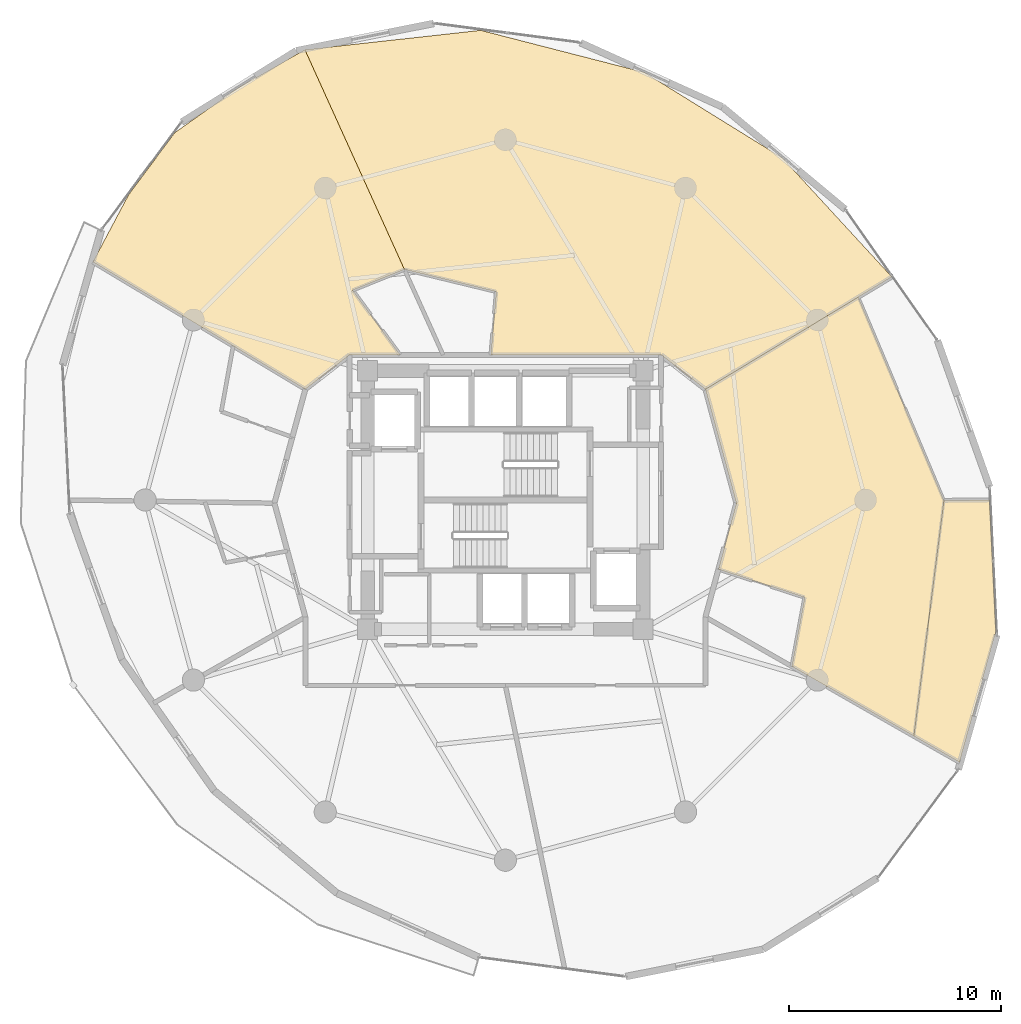
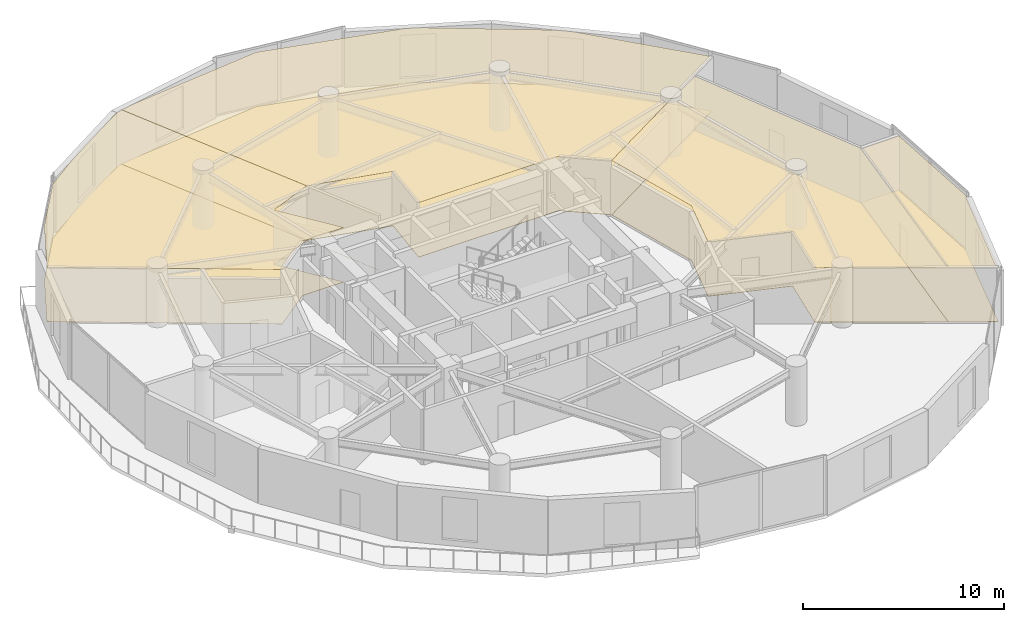
# One storey, part 22 of 22: 8 coverings.
"""IFC4 building model written with IfcOpenShell, lengths in metres."""

from ifc_helpers import new_model, si_unit, direction, frame, origin, place, context, subcontext, project, spatial, polyline, outline, extrude, material, layer, layer_set, type_object, element, save


model = new_model("IFC4")

# Units and contexts
model_context = context("Model", 3, precision=1e-05, world=origin(), true_north=direction((0.0, 1.0)))
body_context = subcontext(model_context, "Body", "Model", "MODEL_VIEW")
ifc_project = project(units=[si_unit("LENGTHUNIT", "METRE"), si_unit("AREAUNIT", "SQUARE_METRE"), si_unit("VOLUMEUNIT", "CUBIC_METRE"), si_unit("PLANEANGLEUNIT", "RADIAN"), si_unit("MASSUNIT", "GRAM", prefix="KILO")], contexts=[model_context])

# Site, building, storey
site_placement = place(None, origin())
site = spatial("IfcSite", under=ifc_project, at=site_placement, CompositionType="ELEMENT")
building_placement = place(site_placement, origin())
building = spatial("IfcBuilding", under=site, at=building_placement, Name="Solvirekh Grand Hotel", CompositionType="ELEMENT")
storey_placement = place(building_placement, frame((0.0, 0.0, 153.0)))
storey = spatial("IfcBuildingStorey", under=building, at=storey_placement, Name="L39", CompositionType="ELEMENT", Elevation=153.0)

# Coverings
ifc_material_1 = material(Name="Acoustic Mineral Ceiling Tile")
ifc_layer_1 = layer(ifc_material_1, 0.02490234375)
ifc_layer_set_1 = layer_set([ifc_layer_1], Name="Acoustic Mineral Ceiling Tile")
covering_type_1 = type_object("IfcCoveringType", Name="Cov_Ceiling_Acoustic", PredefinedType="CEILING", material=ifc_layer_set_1)
covering_1_placement = place(storey_placement, frame((0.0, 0.0, 3.300048828125)))
element("IfcCovering", 1, at=covering_1_placement, inside=storey, type_object=covering_type_1, Name="L39 Panorama Suite 4101 acoustic ceiling", PredefinedType="CEILING", context=body_context, shape_type="SweptSolid", body=[
    extrude(outline(polyline([(-4.764892578125, 10.881103515625), (-0.430908203125, 9.8310546875), (-0.68994140625, 6.85009765625), (7.35009765625, 6.85009765625), (9.43994140625, 5.22509765625), (18.238037109375, 10.530029296875), (13.072998046875, 16.14404296875), (6.556884765625, 20.178955078125), (-1.162109375, 22.1630859375), (-9.4599609375, 21.2470703125), (-4.764892578125, 10.881103515625)])), origin(), (0.0, 0.0, 1.0), 0.01806640625),
])
covering_2_placement = place(storey_placement, frame((0.0, 0.0, 3.300048828125)))
element("IfcCovering", 2, at=covering_2_placement, inside=storey, type_object=covering_type_1, Name="L39 Deluxe Guestroom 4102 acoustic ceiling", PredefinedType="CEILING", context=body_context, shape_type="SweptSolid", body=[
    extrude(outline(polyline([(-4.968994140625, 6.85009765625), (-7.20703125, 9.89990234375), (-4.76611328125, 10.881103515625), (-2.93994140625, 6.85009765625), (-9.4599609375, 21.2470703125), (-12.6259765625, 19.44189453125), (-15.60498046875, 17.3310546875), (-17.782958984375, 14.39990234375), (-19.4619140625, 11.236083984375), (-9.43994140625, 5.22509765625), (-7.35009765625, 6.85009765625), (-4.968994140625, 6.85009765625)])), origin(), (0.0, 0.0, 1.0), 0.01806640625),
])
covering_3_placement = place(storey_placement, frame((0.0, 0.0, 3.300048828125)))
element("IfcCovering", 3, at=covering_3_placement, inside=storey, type_object=covering_type_1, Name="L39 Executive Suite 4105 Living Room acoustic ceiling", PredefinedType="CEILING", context=body_context, shape_type="SweptSolid", body=[
    extrude(outline(polyline([(14.125, -4.596923828125), (13.51904296875, -7.85400390625), (19.277099609375, -11.14306640625), (20.697021484375, -0.027099609375), (16.654052734375, 9.574951171875), (9.43994140625, 5.22509765625), (10.89990234375, -0.14990234375), (10.052978515625, -3.26806640625), (14.125, -4.596923828125)])), origin(), (0.0, 0.0, 1.0), 0.01806640625),
])
covering_4_placement = place(storey_placement, frame((0.0, 0.0, 3.300048828125)))
element("IfcCovering", 4, at=covering_4_placement, inside=storey, type_object=covering_type_1, Name="L39 Executive Suite 4105 Master Bedroom acoustic ceiling", PredefinedType="CEILING", context=body_context, shape_type="SweptSolid", body=[
    extrude(outline(polyline([(21.43603515625, -12.3759765625), (23.14892578125, -6.202880859375), (22.846923828125, 0.0), (20.697021484375, -0.027099609375), (19.277099609375, -11.14306640625), (21.43603515625, -12.3759765625)])), origin(), (0.0, 0.0, 1.0), 0.01806640625),
])
ifc_material_2 = material(Name="Porcelain Stoneware Flooring", Category="masonry")
ifc_layer_2 = layer(ifc_material_2, 0.030029296875)
ifc_layer_set_2 = layer_set([ifc_layer_2], Name="Porcelain Stoneware Flooring")
covering_type_2 = type_object("IfcCoveringType", Name="Cov_Floor_Stone", PredefinedType="FLOORING", material=ifc_layer_set_2)
covering_5_placement = place(storey_placement, origin())
element("IfcCovering", 5, at=covering_5_placement, inside=storey, type_object=covering_type_2, Name="L39 Panorama Suite 4101 polished granite flooring", PredefinedType="FLOORING", context=body_context, shape_type="SweptSolid", body=[
    extrude(outline(polyline([(-4.764892578125, 10.881103515625), (-0.430908203125, 9.8310546875), (-0.68994140625, 6.85009765625), (7.35009765625, 6.85009765625), (9.43994140625, 5.22509765625), (18.238037109375, 10.530029296875), (13.072998046875, 16.14404296875), (6.556884765625, 20.178955078125), (-1.162109375, 22.1630859375), (-9.4599609375, 21.2470703125), (-4.764892578125, 10.881103515625)])), origin(), (0.0, 0.0, 1.0), 0.02001953125),
])
covering_6_placement = place(storey_placement, origin())
element("IfcCovering", 6, at=covering_6_placement, inside=storey, type_object=covering_type_2, Name="L39 Deluxe Guestroom 4102 polished granite flooring", PredefinedType="FLOORING", context=body_context, shape_type="SweptSolid", body=[
    extrude(outline(polyline([(-4.968994140625, 6.85009765625), (-7.20703125, 9.89990234375), (-4.76611328125, 10.881103515625), (-2.93994140625, 6.85009765625), (-9.4599609375, 21.2470703125), (-12.6259765625, 19.44189453125), (-15.60498046875, 17.3310546875), (-17.782958984375, 14.39990234375), (-19.4619140625, 11.236083984375), (-9.43994140625, 5.22509765625), (-7.35009765625, 6.85009765625), (-4.968994140625, 6.85009765625)])), origin(), (0.0, 0.0, 1.0), 0.02001953125),
])
covering_7_placement = place(storey_placement, origin())
element("IfcCovering", 7, at=covering_7_placement, inside=storey, type_object=covering_type_2, Name="L39 Executive Suite 4105 Living Room polished granite flooring", PredefinedType="FLOORING", context=body_context, shape_type="SweptSolid", body=[
    extrude(outline(polyline([(14.125, -4.596923828125), (13.51904296875, -7.85400390625), (19.277099609375, -11.14306640625), (20.697021484375, -0.027099609375), (16.654052734375, 9.574951171875), (9.43994140625, 5.22509765625), (10.89990234375, -0.14990234375), (10.052978515625, -3.26806640625), (14.125, -4.596923828125)])), origin(), (0.0, 0.0, 1.0), 0.02001953125),
])
covering_8_placement = place(storey_placement, origin())
element("IfcCovering", 8, at=covering_8_placement, inside=storey, type_object=covering_type_2, Name="L39 Executive Suite 4105 Master Bedroom polished granite flooring", PredefinedType="FLOORING", context=body_context, shape_type="SweptSolid", body=[
    extrude(outline(polyline([(21.43603515625, -12.3759765625), (23.14892578125, -6.202880859375), (22.846923828125, 0.0), (20.697021484375, -0.027099609375), (19.277099609375, -11.14306640625), (21.43603515625, -12.3759765625)])), origin(), (0.0, 0.0, 1.0), 0.02001953125),
])

save(model, "model.ifc")
